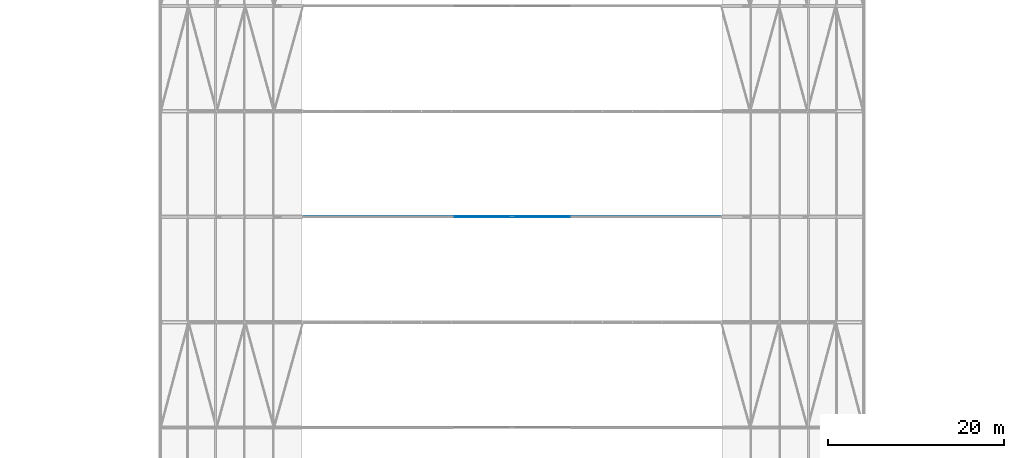
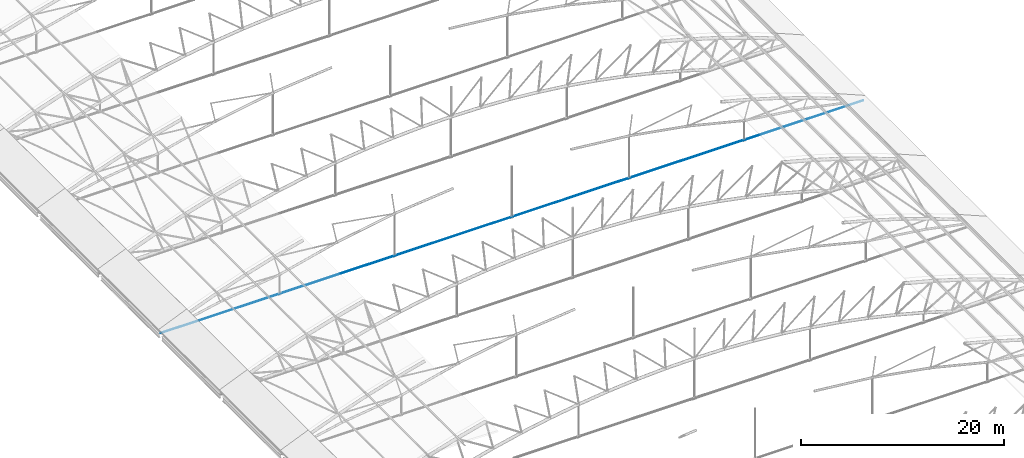
# One storey, part 66 of 321: 1 member.
"""IFC4 building model written with IfcOpenShell, lengths in metres."""

from ifc_helpers import new_model, si_unit, direction, frame, origin, origin_2d, place, context, subcontext, project, spatial, circle, extrude, material, material_profile, profile_set, type_object, element, save


model = new_model("IFC4")

# Units and contexts
model_context = context("Model", 3, precision=1e-05, world=origin(), true_north=direction((0.0, 1.0)))
body_context = subcontext(model_context, "Body", "Model", "MODEL_VIEW")
ifc_project = project(units=[si_unit("LENGTHUNIT", "METRE"), si_unit("AREAUNIT", "SQUARE_METRE"), si_unit("VOLUMEUNIT", "CUBIC_METRE"), si_unit("PLANEANGLEUNIT", "RADIAN"), si_unit("MASSUNIT", "GRAM", prefix="KILO")], contexts=[model_context])

# Site, building, storey
site_placement = place(None, origin())
site = spatial("IfcSite", under=ifc_project, at=site_placement, CompositionType="ELEMENT")
building_placement = place(site_placement, origin())
building = spatial("IfcBuilding", under=site, at=building_placement, Name="Ravi Spectrum Wholesale Market", CompositionType="ELEMENT")
storey_placement = place(building_placement, frame((0.0, 0.0, 10.800048828125)))
storey = spatial("IfcBuildingStorey", under=building, at=storey_placement, Name="L02", CompositionType="ELEMENT", Elevation=10.800048828125)

# Member
ifc_material = material(Name="Steel S460", Category="steel")
ifc_material_profile = material_profile(ifc_material, circle(Radius=0.034912109375, at=origin_2d()))
ifc_profile_set = profile_set([ifc_material_profile], Name="Steel S460")
member_type = type_object("IfcMemberType", Name="ROD 70 tie", PredefinedType="BRACE", material=ifc_profile_set)
member_placement = place(storey_placement, frame((29.98974609375, 90.0, 0.023193359375), z_axis=(1.0, 0.0, 0.0), x_axis=(0.0, 1.0, 0.0)))
element("IfcMember", 1, at=member_placement, inside=storey, type_object=member_type, Name="H1-MB-L02-481", PredefinedType="BRACE", context=body_context, shape_type="SweptSolid", body=[
    extrude(circle(Radius=0.034912109375, at=origin_2d()), origin(), (0.0, 0.0, 1.0), 80.0205078125),
])

save(model, "model.ifc")
